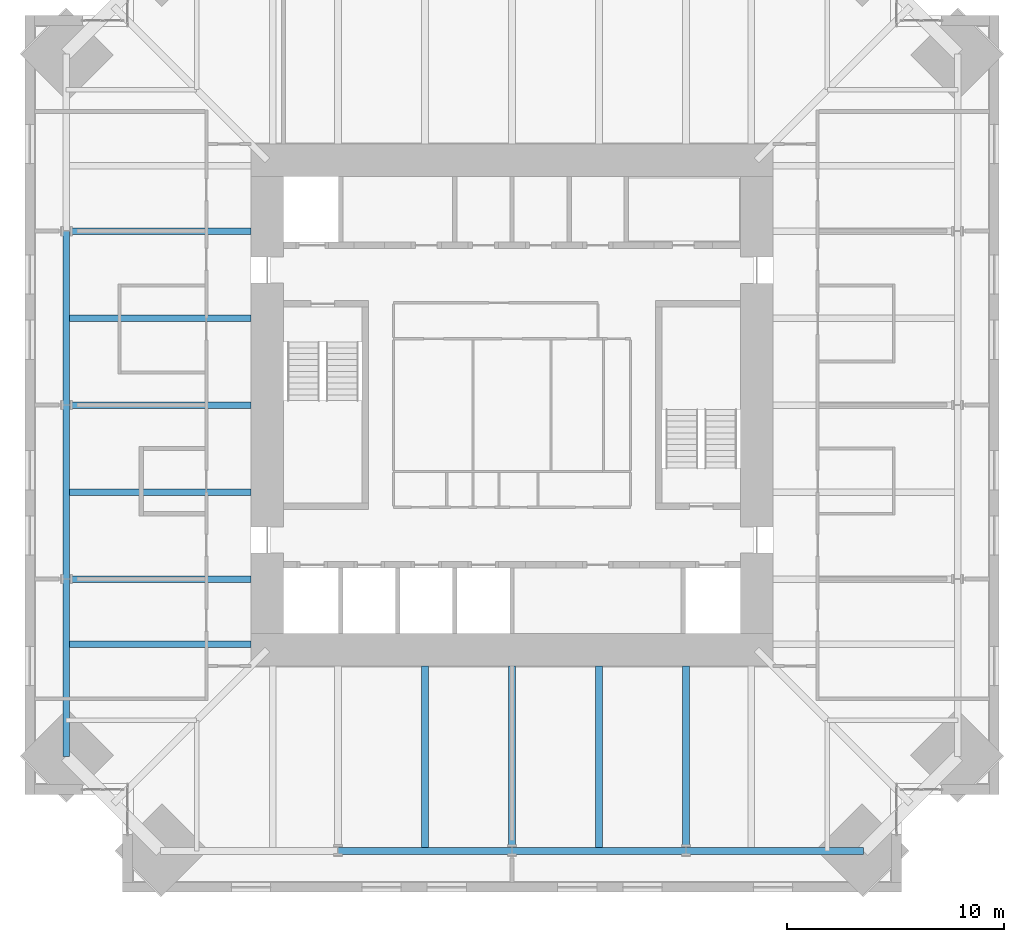
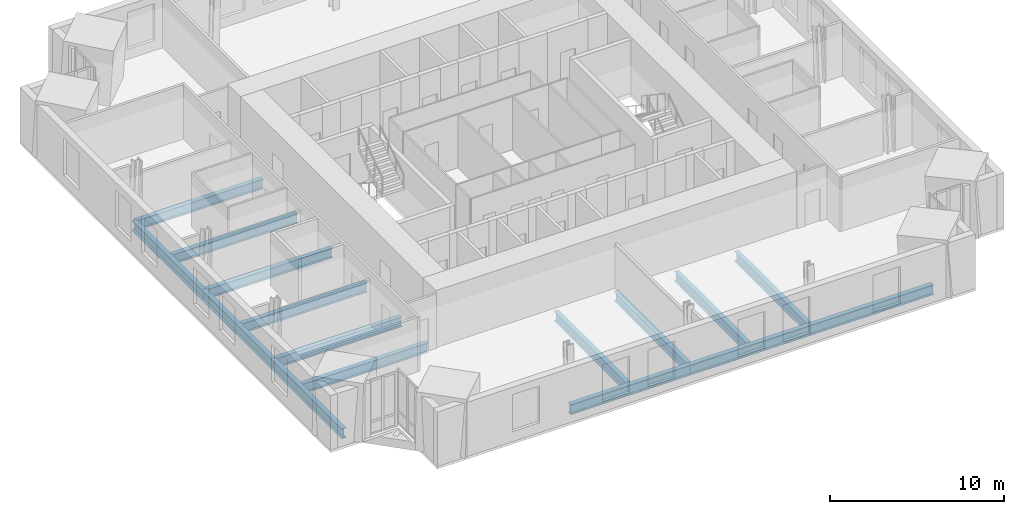
# One storey, part 3 of 17: 16 beams.
"""IFC4 building model written with IfcOpenShell, lengths in metres."""

from ifc_helpers import new_model, si_unit, direction, frame, origin, origin_2d, place, context, subcontext, project, spatial, i_section, extrude, material, material_profile, profile_set, type_object, element, save


model = new_model("IFC4")

# Units and contexts
model_context = context("Model", 3, precision=1e-05, world=origin(), true_north=direction((0.0, 1.0)))
body_context = subcontext(model_context, "Body", "Model", "MODEL_VIEW")
ifc_project = project(units=[si_unit("LENGTHUNIT", "METRE"), si_unit("AREAUNIT", "SQUARE_METRE"), si_unit("VOLUMEUNIT", "CUBIC_METRE"), si_unit("PLANEANGLEUNIT", "RADIAN"), si_unit("MASSUNIT", "GRAM", prefix="KILO")], contexts=[model_context])

# Site, building, storey
site_placement = place(None, origin())
site = spatial("IfcSite", under=ifc_project, at=site_placement, CompositionType="ELEMENT")
building_placement = place(site_placement, origin())
building = spatial("IfcBuilding", under=site, at=building_placement, Name="Peilmerk Tower", CompositionType="ELEMENT")
storey_placement = place(building_placement, frame((0.0, 0.0, 257.800048828125)))
storey = spatial("IfcBuildingStorey", under=building, at=storey_placement, Name="L57", CompositionType="ELEMENT", Elevation=257.800048828125)

# Beams
ifc_material = material(Name="Steel S355", Category="steel")
ifc_material_profile_1 = material_profile(ifc_material, i_section(OverallWidth=0.300048828125, OverallDepth=0.68994140625, WebThickness=0.014404296875, FlangeThickness=0.027099609375, at=origin_2d()), Name="HEA 700")
ifc_profile_set_1 = profile_set([ifc_material_profile_1], Name="Steel S355")
beam_type_1 = type_object("IfcBeamType", Name="B16 HEA 700 floor beam", PredefinedType="BEAM", material=ifc_profile_set_1)
for number, where, z_axis, x_axis, name in (
    (1, (-4.0, -12.0, -0.51513671875), (0.0, -1.0, 0.0), (1.0, 0.0, 0.0), "Floor beam L57"),
    (2, (0.0, -12.0, -0.51513671875), (0.0, -1.0, 0.0), (1.0, 0.0, 0.0), "Floor beam L57"),
    (3, (4.0, -12.0, -0.51513671875), (0.0, -1.0, 0.0), (1.0, 0.0, 0.0), "Floor beam L57"),
    (4, (8.0, -12.0, -0.51513671875), (0.0, -1.0, 0.0), (1.0, 0.0, 0.0), "Floor beam L57"),
    (5, (-12.0, 8.0, -0.51513671875), (-1.0, 0.0, 0.0), (0.0, -1.0, 0.0), "Floor beam L57"),
    (6, (-12.0, 4.0, -0.51513671875), (-1.0, 0.0, 0.0), (0.0, -1.0, 0.0), "Floor beam L57"),
    (7, (-12.0, 0.0, -0.51513671875), (-1.0, 0.0, 0.0), (0.0, -1.0, 0.0), "Floor beam L57"),
    (8, (-12.0, -4.0, -0.51513671875), (-1.0, 0.0, 0.0), (0.0, -1.0, 0.0), "Floor beam L57"),
    (9, (-12.0, -8.0, -0.51513671875), (-1.0, 0.0, 0.0), (0.0, -1.0, 0.0), "Floor beam L57"),
    (10, (-12.0, -11.0, -0.51513671875), (-1.0, 0.0, 0.0), (0.0, -1.0, 0.0), "Floor beam L57"),
):
    element("IfcBeam", number, at=place(storey_placement, frame(where, z_axis=z_axis, x_axis=x_axis)), inside=storey, type_object=beam_type_1, Name=name, PredefinedType="BEAM", context=body_context, shape_type="SweptSolid", body=[
        extrude(i_section(OverallWidth=0.300048828125, OverallDepth=0.68994140625, WebThickness=0.014404296875, FlangeThickness=0.027099609375, at=origin_2d()), origin(), (0.0, 0.0, 1.0), 8.501708984375),
    ])
ifc_material_profile_2 = material_profile(ifc_material, i_section(OverallWidth=0.303955078125, OverallDepth=0.716064453125, WebThickness=0.02099609375, FlangeThickness=0.0400390625, at=origin_2d()), Name="HEM 700")
ifc_profile_set_2 = profile_set([ifc_material_profile_2], Name="Steel S355")
beam_type_2 = type_object("IfcBeamType", Name="B30 HEM 700 edge beam", PredefinedType="SPANDREL", material=ifc_profile_set_2)
for number, where, z_axis, x_axis, name in (
    (11, (-8.0, -20.501708984375, -0.528076171875), (1.0, 0.0, 0.0), (0.0, 1.0, 0.0), "Edge beam L57"),
    (12, (0.0, -20.501708984375, -0.528076171875), (1.0, 0.0, 0.0), (0.0, 1.0, 0.0), "Edge beam L57"),
):
    element("IfcBeam", number, at=place(storey_placement, frame(where, z_axis=z_axis, x_axis=x_axis)), inside=storey, type_object=beam_type_2, Name=name, PredefinedType="SPANDREL", context=body_context, shape_type="SweptSolid", body=[
        extrude(i_section(OverallWidth=0.303955078125, OverallDepth=0.716064453125, WebThickness=0.02099609375, FlangeThickness=0.0400390625, at=origin_2d()), origin(), (0.0, 0.0, 1.0), 8.0),
    ])
beam_1_placement = place(storey_placement, frame((8.0, -20.501708984375, -0.528076171875), z_axis=(1.0, 0.0, 0.0), x_axis=(0.0, 1.0, 0.0)))
element("IfcBeam", 13, at=beam_1_placement, inside=storey, type_object=beam_type_2, Name="Edge beam L57", PredefinedType="SPANDREL", context=body_context, shape_type="SweptSolid", body=[
    extrude(i_section(OverallWidth=0.303955078125, OverallDepth=0.716064453125, WebThickness=0.02099609375, FlangeThickness=0.0400390625, at=origin_2d()), origin(), (0.0, 0.0, 1.0), 8.151611328125),
])
for number, where, z_axis, x_axis, name in (
    (14, (-20.501708984375, 8.0, -0.528076171875), (0.0, -1.0, 0.0), (1.0, 0.0, 0.0), "Edge beam L57"),
    (15, (-20.501708984375, 0.0, -0.528076171875), (0.0, -1.0, 0.0), (1.0, 0.0, 0.0), "Edge beam L57"),
):
    element("IfcBeam", number, at=place(storey_placement, frame(where, z_axis=z_axis, x_axis=x_axis)), inside=storey, type_object=beam_type_2, Name=name, PredefinedType="SPANDREL", context=body_context, shape_type="SweptSolid", body=[
        extrude(i_section(OverallWidth=0.303955078125, OverallDepth=0.716064453125, WebThickness=0.02099609375, FlangeThickness=0.0400390625, at=origin_2d()), origin(), (0.0, 0.0, 1.0), 8.0),
    ])
beam_2_placement = place(storey_placement, frame((-20.501708984375, -8.0, -0.528076171875), z_axis=(0.0, -1.0, 0.0), x_axis=(1.0, 0.0, 0.0)))
element("IfcBeam", 16, at=beam_2_placement, inside=storey, type_object=beam_type_2, Name="Edge beam L57", PredefinedType="SPANDREL", context=body_context, shape_type="SweptSolid", body=[
    extrude(i_section(OverallWidth=0.303955078125, OverallDepth=0.716064453125, WebThickness=0.02099609375, FlangeThickness=0.0400390625, at=origin_2d()), origin(), (0.0, 0.0, 1.0), 8.151611328125),
])

save(model, "model.ifc")
